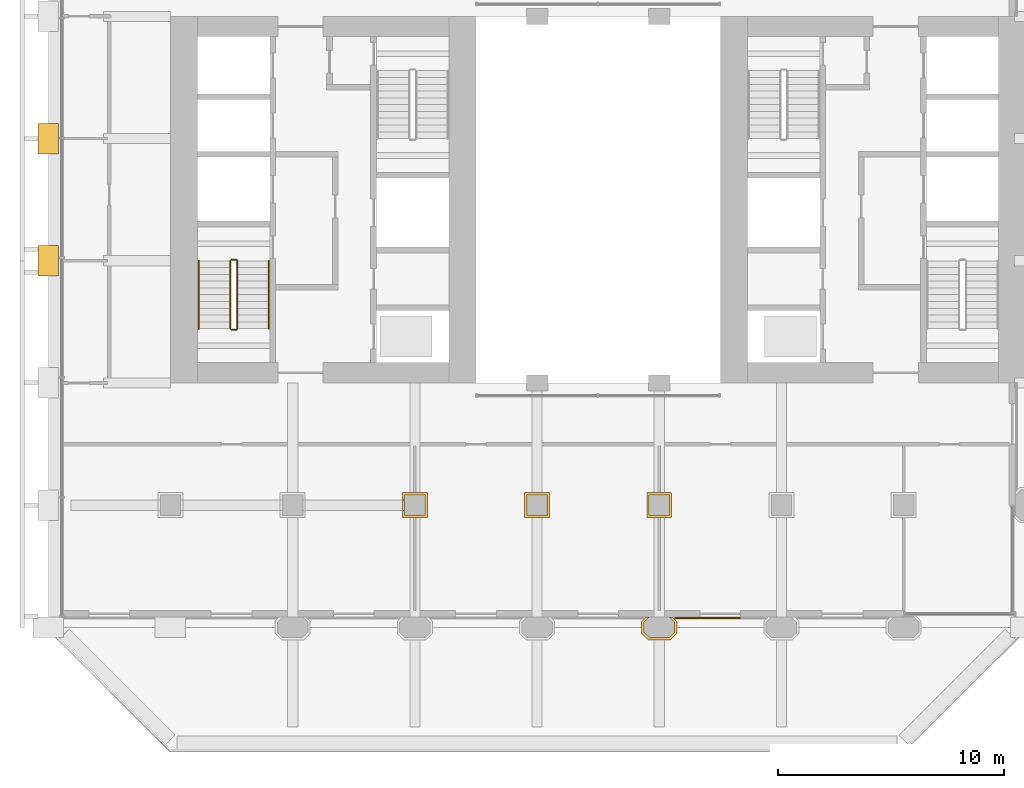
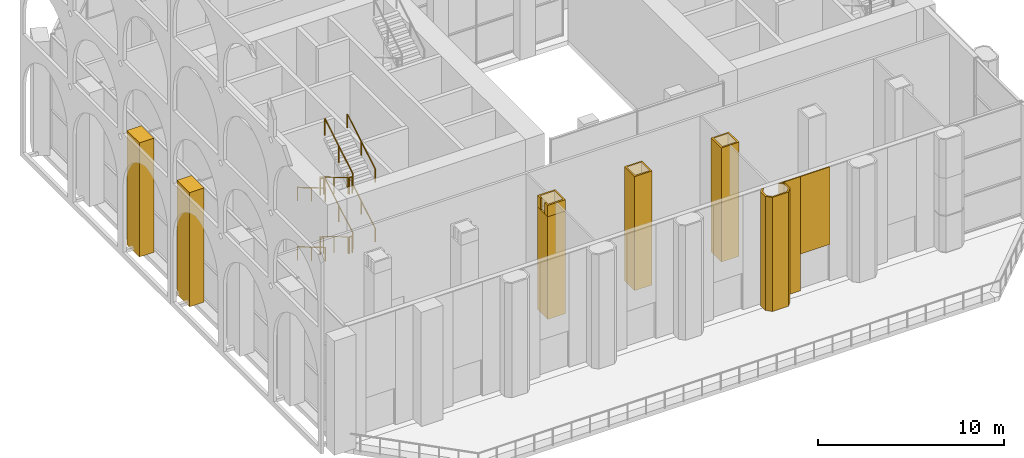
# One storey, part 14 of 20: 12 railings, 9 coverings.
"""IFC4 building model written with IfcOpenShell, lengths in metres."""

from ifc_helpers import new_model, si_unit, direction, frame, frame_2d, origin, origin_2d, place, context, subcontext, project, spatial, polyline, rectangle, circle, outline, extrude, material, layer, layer_set, type_object, element, save


model = new_model("IFC4")

# Units and contexts
model_context = context("Model", 3, precision=1e-05, world=origin(), true_north=direction((0.0, 1.0)))
body_context = subcontext(model_context, "Body", "Model", "MODEL_VIEW")
ifc_project = project(units=[si_unit("LENGTHUNIT", "METRE"), si_unit("AREAUNIT", "SQUARE_METRE"), si_unit("VOLUMEUNIT", "CUBIC_METRE"), si_unit("PLANEANGLEUNIT", "RADIAN"), si_unit("MASSUNIT", "GRAM", prefix="KILO")], contexts=[model_context])

# Site, building, storey
site_placement = place(None, origin())
site = spatial("IfcSite", under=ifc_project, at=site_placement, CompositionType="ELEMENT")
building_placement = place(site_placement, origin())
building = spatial("IfcBuilding", under=site, at=building_placement, Name="Tabaq Tower and Sports Hall", CompositionType="ELEMENT")
storey_placement = place(building_placement, frame((0.0, 0.0, 130.60009765625)))
storey = spatial("IfcBuildingStorey", under=building, at=storey_placement, Name="L31", CompositionType="ELEMENT", Elevation=130.60009765625)

# Coverings
ifc_material_1 = material(Name="Precast concrete C60/75", Category="concrete")
ifc_layer_1 = layer(ifc_material_1, 0.10009765625)
ifc_layer_set_1 = layer_set([ifc_layer_1], Name="Column cladding 100")
covering_type_1 = type_object("IfcCoveringType", Name="Column cladding 100", PredefinedType="CLADDING", material=ifc_layer_set_1)
covering_1_placement = place(storey_placement, origin())
element("IfcCovering", 1, at=covering_1_placement, inside=storey, type_object=covering_type_1, Name="Column cladding L31 CC-4C-S1", PredefinedType="CLADDING", context=body_context, shape_type="SweptSolid", body=[
    extrude(outline(polyline([(15.650390625, 11.349609375), (16.749755859375, 11.349609375), (16.749755859375, 10.250244140625), (15.650390625, 10.250244140625), (15.650390625, 11.349609375)]), holes=[polyline([(16.650390625, 10.349609375), (16.650390625, 11.250244140625), (15.749755859375, 11.250244140625), (15.749755859375, 10.349609375), (16.650390625, 10.349609375)])]), origin(), (0.0, 0.0, 1.0), 6.75),
])
covering_2_placement = place(storey_placement, frame((0.0, 0.0, 6.75)))
element("IfcCovering", 2, at=covering_2_placement, inside=storey, type_object=covering_type_1, Name="Column cladding L31 CC-4C-S1 head", PredefinedType="CLADDING", context=body_context, shape_type="SweptSolid", body=[
    extrude(outline(polyline([(16.749755859375, 11.349609375), (16.749755859375, 10.250244140625), (15.650390625, 10.250244140625), (15.650390625, 10.57470703125), (15.749755859375, 10.57470703125), (15.749755859375, 10.349609375), (16.650390625, 10.349609375), (16.650390625, 11.250244140625), (15.749755859375, 11.250244140625), (15.749755859375, 11.025390625), (15.650390625, 11.025390625), (15.650390625, 11.349609375), (16.749755859375, 11.349609375)])), origin(), (0.0, 0.0, 1.0), 0.75),
])
covering_3_placement = place(storey_placement, origin())
element("IfcCovering", 3, at=covering_3_placement, inside=storey, type_object=covering_type_1, Name="Column cladding L31 CC-5C-S1", PredefinedType="CLADDING", context=body_context, shape_type="SweptSolid", body=[
    extrude(outline(polyline([(21.05029296875, 11.349609375), (22.149658203125, 11.349609375), (22.149658203125, 10.250244140625), (21.05029296875, 10.250244140625), (21.05029296875, 11.349609375)]), holes=[polyline([(22.05029296875, 10.349609375), (22.05029296875, 11.250244140625), (21.149658203125, 11.250244140625), (21.149658203125, 10.349609375), (22.05029296875, 10.349609375)])]), origin(), (0.0, 0.0, 1.0), 7.5),
])
covering_4_placement = place(storey_placement, origin())
element("IfcCovering", 4, at=covering_4_placement, inside=storey, type_object=covering_type_1, Name="Column cladding L31 PC-6B-S1", PredefinedType="CLADDING", context=body_context, shape_type="SweptSolid", body=[
    extrude(outline(polyline([(26.225341796875, 5.666259765625), (26.40869140625, 5.849609375), (26.54931640625, 5.849609375), (26.32470703125, 5.625244140625), (26.32470703125, 5.1748046875), (26.5498046875, 4.94970703125), (27.4501953125, 4.94970703125), (27.67529296875, 5.1748046875), (27.67529296875, 5.625244140625), (27.45068359375, 5.849609375), (27.59130859375, 5.849609375), (27.774658203125, 5.666259765625), (27.774658203125, 5.1337890625), (27.4912109375, 4.850341796875), (26.5087890625, 4.850341796875), (26.225341796875, 5.1337890625), (26.225341796875, 5.666259765625)])), origin(), (0.0, 0.0, 1.0), 7.5),
])
covering_5_placement = place(storey_placement, origin())
element("IfcCovering", 5, at=covering_5_placement, inside=storey, type_object=covering_type_1, Name="Column cladding L31 CC-6C-S1", PredefinedType="CLADDING", context=body_context, shape_type="SweptSolid", body=[
    extrude(outline(polyline([(26.4501953125, 11.349609375), (27.5498046875, 11.349609375), (27.5498046875, 10.250244140625), (26.4501953125, 10.250244140625), (26.4501953125, 11.349609375)]), holes=[polyline([(27.4501953125, 10.349609375), (27.4501953125, 11.250244140625), (26.5498046875, 11.250244140625), (26.5498046875, 10.349609375), (27.4501953125, 10.349609375)])]), origin(), (0.0, 0.0, 1.0), 7.5),
])
ifc_material_2 = material(Name="White precast concrete C60/75", Category="concrete")
covering_type_2 = type_object("IfcCoveringType", Name="Pier cladding hung 1350x900", PredefinedType="CLADDING", material=ifc_material_2)
covering_6_placement = place(storey_placement, frame((0.0, 22.27490234375, 0.0), z_axis=(0.0, 0.0, 1.0), x_axis=(0.0, -1.0, 0.0)))
element("IfcCovering", 6, at=covering_6_placement, inside=storey, type_object=covering_type_2, Name="Hung pier cladding 0/4", PredefinedType="CLADDING", context=body_context, shape_type="SweptSolid", body=[
    extrude(rectangle(XDim=1.349853515625, YDim=0.89990234375, at=frame_2d((0.6748046875, 0.0))), origin(), (0.0, 0.0, 1.0), 7.5),
])
covering_7_placement = place(storey_placement, frame((0.0, 27.675048828125, 0.0), z_axis=(0.0, 0.0, 1.0), x_axis=(0.0, -1.0, 0.0)))
element("IfcCovering", 7, at=covering_7_placement, inside=storey, type_object=covering_type_2, Name="Hung pier cladding 0/5", PredefinedType="CLADDING", context=body_context, shape_type="SweptSolid", body=[
    extrude(rectangle(XDim=1.35009765625, YDim=0.89990234375, at=frame_2d((0.675048828125, 0.0))), origin(), (0.0, 0.0, 1.0), 7.5),
])

# Railings
ifc_material_3 = material(Name="Stainless steel", Category="steel")
railing_type_1 = type_object("IfcRailingType", Name="Stair guard", PredefinedType="GUARDRAIL", material=ifc_material_3)
railing_1_placement = place(storey_placement, frame((8.050048828125, 21.60009765625, 0.17724609375)))
element("IfcRailing", 8, at=railing_1_placement, inside=storey, type_object=railing_type_1, Name="L31 ST1 stair guard 1", PredefinedType="GUARDRAIL", context=body_context, shape_type="SweptSolid", body=[
    extrude(circle(Radius=0.02392578125, at=origin_2d()), frame((0.0, 0.0, 1.076171875), z_axis=(0.0, -0.86092931783, 0.508724591208), x_axis=(1.0, 0.0, 0.0)), (0.0, 0.0, 1.0), 3.484619140625),
    extrude(circle(Radius=0.02099609375, at=origin_2d()), origin(), (0.0, 0.0, 1.0), 1.052001953125),
    extrude(circle(Radius=0.02099609375, at=origin_2d()), frame((0.0, -1.5, 0.88623046875)), (0.0, 0.0, 1.0), 1.052001953125),
    extrude(circle(Radius=0.02099609375, at=origin_2d()), frame((0.0, -3.0, 1.772705078125)), (0.0, 0.0, 1.0), 1.052001953125),
])
railing_2_placement = place(storey_placement, frame((8.10009765625, 18.550048828125, 1.949951171875)))
element("IfcRailing", 9, at=railing_2_placement, inside=storey, type_object=railing_type_1, Name="L31 ST1 stair guard 2", PredefinedType="GUARDRAIL", context=body_context, shape_type="SweptSolid", body=[
    extrude(circle(Radius=0.02392578125, at=origin_2d()), frame((0.0, 0.0, 1.076171875), z_axis=(1.0, 0.0, 0.0), x_axis=(0.0, 1.0, 0.0)), (0.0, 0.0, 1.0), 0.199951171875),
    extrude(circle(Radius=0.02099609375, at=origin_2d()), origin(), (0.0, 0.0, 1.0), 1.052001953125),
    extrude(circle(Radius=0.02099609375, at=origin_2d()), frame((0.199951171875, 0.0, 0.0)), (0.0, 0.0, 1.0), 1.052001953125),
])
railing_3_placement = place(storey_placement, frame((8.35009765625, 18.60009765625, 2.127197265625)))
element("IfcRailing", 10, at=railing_3_placement, inside=storey, type_object=railing_type_1, Name="L31 ST1 stair guard 3", PredefinedType="GUARDRAIL", context=body_context, shape_type="SweptSolid", body=[
    extrude(circle(Radius=0.02392578125, at=origin_2d()), frame((0.0, 0.0, 1.076171875), z_axis=(0.0, 0.86092931783, 0.508724591208), x_axis=(-1.0, 0.0, 0.0)), (0.0, 0.0, 1.0), 3.484619140625),
    extrude(circle(Radius=0.02099609375, at=origin_2d()), origin(), (0.0, 0.0, 1.0), 1.052001953125),
    extrude(circle(Radius=0.02099609375, at=origin_2d()), frame((0.0, 1.5, 0.88623046875)), (0.0, 0.0, 1.0), 1.052001953125),
    extrude(circle(Radius=0.02099609375, at=origin_2d()), frame((0.0, 3.0, 1.772705078125)), (0.0, 0.0, 1.0), 1.052001953125),
])
railing_4_placement = place(storey_placement, frame((8.10009765625, 21.64990234375, 3.89990234375)))
element("IfcRailing", 11, at=railing_4_placement, inside=storey, type_object=railing_type_1, Name="L31 ST1 stair guard 4", PredefinedType="GUARDRAIL", context=body_context, shape_type="SweptSolid", body=[
    extrude(circle(Radius=0.02392578125, at=origin_2d()), frame((0.0, 0.0, 1.076171875), z_axis=(1.0, 0.0, 0.0), x_axis=(0.0, 1.0, 0.0)), (0.0, 0.0, 1.0), 0.199951171875),
    extrude(circle(Radius=0.02099609375, at=origin_2d()), origin(), (0.0, 0.0, 1.0), 1.052001953125),
    extrude(circle(Radius=0.02099609375, at=origin_2d()), frame((0.199951171875, 0.0, 0.0)), (0.0, 0.0, 1.0), 1.052001953125),
])
railing_5_placement = place(storey_placement, frame((8.050048828125, 21.60009765625, 4.0771484375)))
element("IfcRailing", 12, at=railing_5_placement, inside=storey, type_object=railing_type_1, Name="L31 ST1 stair guard 5", PredefinedType="GUARDRAIL", context=body_context, shape_type="SweptSolid", body=[
    extrude(circle(Radius=0.02392578125, at=origin_2d()), frame((0.0, 0.0, 1.076171875), z_axis=(0.0, -0.86092931783, 0.508724591208), x_axis=(1.0, 0.0, 0.0)), (0.0, 0.0, 1.0), 3.484619140625),
    extrude(circle(Radius=0.02099609375, at=origin_2d()), origin(), (0.0, 0.0, 1.0), 1.052001953125),
    extrude(circle(Radius=0.02099609375, at=origin_2d()), frame((0.0, -1.5, 0.88623046875)), (0.0, 0.0, 1.0), 1.052001953125),
    extrude(circle(Radius=0.02099609375, at=origin_2d()), frame((0.0, -3.0, 1.772705078125)), (0.0, 0.0, 1.0), 1.052001953125),
])
railing_6_placement = place(storey_placement, frame((8.10009765625, 18.550048828125, 5.849853515625)))
element("IfcRailing", 13, at=railing_6_placement, inside=storey, type_object=railing_type_1, Name="L31 ST1 stair guard 6", PredefinedType="GUARDRAIL", context=body_context, shape_type="SweptSolid", body=[
    extrude(circle(Radius=0.02392578125, at=origin_2d()), frame((0.0, 0.0, 1.076171875), z_axis=(1.0, 0.0, 0.0), x_axis=(0.0, 1.0, 0.0)), (0.0, 0.0, 1.0), 0.199951171875),
    extrude(circle(Radius=0.02099609375, at=origin_2d()), origin(), (0.0, 0.0, 1.0), 1.052001953125),
    extrude(circle(Radius=0.02099609375, at=origin_2d()), frame((0.199951171875, 0.0, 0.0)), (0.0, 0.0, 1.0), 1.052001953125),
])
railing_7_placement = place(storey_placement, frame((8.35009765625, 18.60009765625, 6.027099609375)))
element("IfcRailing", 14, at=railing_7_placement, inside=storey, type_object=railing_type_1, Name="L31 ST1 stair guard 7", PredefinedType="GUARDRAIL", context=body_context, shape_type="SweptSolid", body=[
    extrude(circle(Radius=0.02392578125, at=origin_2d()), frame((0.0, 0.0, 1.076171875), z_axis=(0.0, 0.86092931783, 0.508724591208), x_axis=(-1.0, 0.0, 0.0)), (0.0, 0.0, 1.0), 3.484619140625),
    extrude(circle(Radius=0.02099609375, at=origin_2d()), origin(), (0.0, 0.0, 1.0), 1.052001953125),
    extrude(circle(Radius=0.02099609375, at=origin_2d()), frame((0.0, 1.5, 0.88623046875)), (0.0, 0.0, 1.0), 1.052001953125),
    extrude(circle(Radius=0.02099609375, at=origin_2d()), frame((0.0, 3.0, 1.772705078125)), (0.0, 0.0, 1.0), 1.052001953125),
])
railing_8_placement = place(storey_placement, frame((8.10009765625, 21.64990234375, 0.0)))
element("IfcRailing", 15, at=railing_8_placement, inside=storey, type_object=railing_type_1, Name="L31 ST1 stair guard 8", PredefinedType="GUARDRAIL", context=body_context, shape_type="SweptSolid", body=[
    extrude(circle(Radius=0.02392578125, at=origin_2d()), frame((0.0, 0.0, 1.076171875), z_axis=(1.0, 0.0, 0.0), x_axis=(0.0, 1.0, 0.0)), (0.0, 0.0, 1.0), 0.199951171875),
    extrude(circle(Radius=0.02099609375, at=origin_2d()), origin(), (0.0, 0.0, 1.0), 1.052001953125),
    extrude(circle(Radius=0.02099609375, at=origin_2d()), frame((0.199951171875, 0.0, 0.0)), (0.0, 0.0, 1.0), 1.052001953125),
])
ifc_material_4 = material(Name="Stainless steel", Category="steel")
railing_type_2 = type_object("IfcRailingType", Name="Stair handrail", PredefinedType="HANDRAIL", material=ifc_material_4)
railing_9_placement = place(storey_placement, frame((6.64990234375, 21.60009765625, 0.17724609375)))
element("IfcRailing", 16, at=railing_9_placement, inside=storey, type_object=railing_type_2, Name="L31 ST1 stair handrail 1", PredefinedType="HANDRAIL", context=body_context, shape_type="SweptSolid", body=[
    extrude(circle(Radius=0.02392578125, at=origin_2d()), frame((0.0, 0.0, 0.8759765625), z_axis=(0.0, -0.86092931783, 0.508724591208), x_axis=(1.0, 0.0, 0.0)), (0.0, 0.0, 1.0), 3.484619140625),
    extrude(circle(Radius=0.02099609375, at=origin_2d()), origin(), (0.0, 0.0, 1.0), 0.851806640625),
    extrude(circle(Radius=0.02099609375, at=origin_2d()), frame((0.0, -1.5, 0.88623046875)), (0.0, 0.0, 1.0), 0.851806640625),
    extrude(circle(Radius=0.02099609375, at=origin_2d()), frame((0.0, -3.0, 1.772705078125)), (0.0, 0.0, 1.0), 0.851806640625),
])
railing_10_placement = place(storey_placement, frame((9.75, 18.60009765625, 2.127197265625)))
element("IfcRailing", 17, at=railing_10_placement, inside=storey, type_object=railing_type_2, Name="L31 ST1 stair handrail 2", PredefinedType="HANDRAIL", context=body_context, shape_type="SweptSolid", body=[
    extrude(circle(Radius=0.02392578125, at=origin_2d()), frame((0.0, 0.0, 0.8759765625), z_axis=(0.0, 0.86092931783, 0.508724591208), x_axis=(-1.0, 0.0, 0.0)), (0.0, 0.0, 1.0), 3.484619140625),
    extrude(circle(Radius=0.02099609375, at=origin_2d()), origin(), (0.0, 0.0, 1.0), 0.851806640625),
    extrude(circle(Radius=0.02099609375, at=origin_2d()), frame((0.0, 1.5, 0.88623046875)), (0.0, 0.0, 1.0), 0.851806640625),
    extrude(circle(Radius=0.02099609375, at=origin_2d()), frame((0.0, 3.0, 1.772705078125)), (0.0, 0.0, 1.0), 0.851806640625),
])
railing_11_placement = place(storey_placement, frame((6.64990234375, 21.60009765625, 4.0771484375)))
element("IfcRailing", 18, at=railing_11_placement, inside=storey, type_object=railing_type_2, Name="L31 ST1 stair handrail 3", PredefinedType="HANDRAIL", context=body_context, shape_type="SweptSolid", body=[
    extrude(circle(Radius=0.02392578125, at=origin_2d()), frame((0.0, 0.0, 0.8759765625), z_axis=(0.0, -0.86092931783, 0.508724591208), x_axis=(1.0, 0.0, 0.0)), (0.0, 0.0, 1.0), 3.484619140625),
    extrude(circle(Radius=0.02099609375, at=origin_2d()), origin(), (0.0, 0.0, 1.0), 0.851806640625),
    extrude(circle(Radius=0.02099609375, at=origin_2d()), frame((0.0, -1.5, 0.88623046875)), (0.0, 0.0, 1.0), 0.851806640625),
    extrude(circle(Radius=0.02099609375, at=origin_2d()), frame((0.0, -3.0, 1.772705078125)), (0.0, 0.0, 1.0), 0.851806640625),
])
railing_12_placement = place(storey_placement, frame((9.75, 18.60009765625, 6.027099609375)))
element("IfcRailing", 19, at=railing_12_placement, inside=storey, type_object=railing_type_2, Name="L31 ST1 stair handrail 4", PredefinedType="HANDRAIL", context=body_context, shape_type="SweptSolid", body=[
    extrude(circle(Radius=0.02392578125, at=origin_2d()), frame((0.0, 0.0, 0.8759765625), z_axis=(0.0, 0.86092931783, 0.508724591208), x_axis=(-1.0, 0.0, 0.0)), (0.0, 0.0, 1.0), 3.484619140625),
    extrude(circle(Radius=0.02099609375, at=origin_2d()), origin(), (0.0, 0.0, 1.0), 0.851806640625),
    extrude(circle(Radius=0.02099609375, at=origin_2d()), frame((0.0, 1.5, 0.88623046875)), (0.0, 0.0, 1.0), 0.851806640625),
    extrude(circle(Radius=0.02099609375, at=origin_2d()), frame((0.0, 3.0, 1.772705078125)), (0.0, 0.0, 1.0), 0.851806640625),
])

# Coverings
ifc_material_5 = material(Name="Precast concrete C60/75", Category="concrete")
ifc_layer_2 = layer(ifc_material_5, 0.06005859375)
ifc_layer_set_2 = layer_set([ifc_layer_2], Name="White precast cladding panel 60 C60/75")
covering_type_3 = type_object("IfcCoveringType", Name="White precast cladding panel 60 C60/75", PredefinedType="CLADDING", material=ifc_layer_set_2)
covering_8_placement = place(storey_placement, frame((27.68505859375, 5.820068359375, 0.0), z_axis=(0.0, 0.0, 1.0), x_axis=(1.0, 0.0, 0.0)))
element("IfcCovering", 20, at=covering_8_placement, inside=storey, type_object=covering_type_3, Name="White precast cladding panel L31 infill00-0-0 16", PredefinedType="CLADDING", context=body_context, shape_type="SweptSolid", body=[
    extrude(rectangle(XDim=1.10498046875, YDim=0.06005859375, at=frame_2d((0.552490234375, 0.0))), origin(), (0.0, 0.0, 1.0), 7.5),
])
covering_9_placement = place(storey_placement, frame((28.7900390625, 5.820068359375, 2.409912109375), z_axis=(0.0, 0.0, 1.0), x_axis=(1.0, 0.0, 0.0)))
element("IfcCovering", 21, at=covering_9_placement, inside=storey, type_object=covering_type_3, Name="White precast cladding panel L31 infill00-0-0 17", PredefinedType="CLADDING", context=body_context, shape_type="SweptSolid", body=[
    extrude(rectangle(XDim=1.820068359375, YDim=0.06005859375, at=frame_2d((0.91015625, 0.0))), origin(), (0.0, 0.0, 1.0), 5.090087890625),
])

save(model, "model.ifc")
